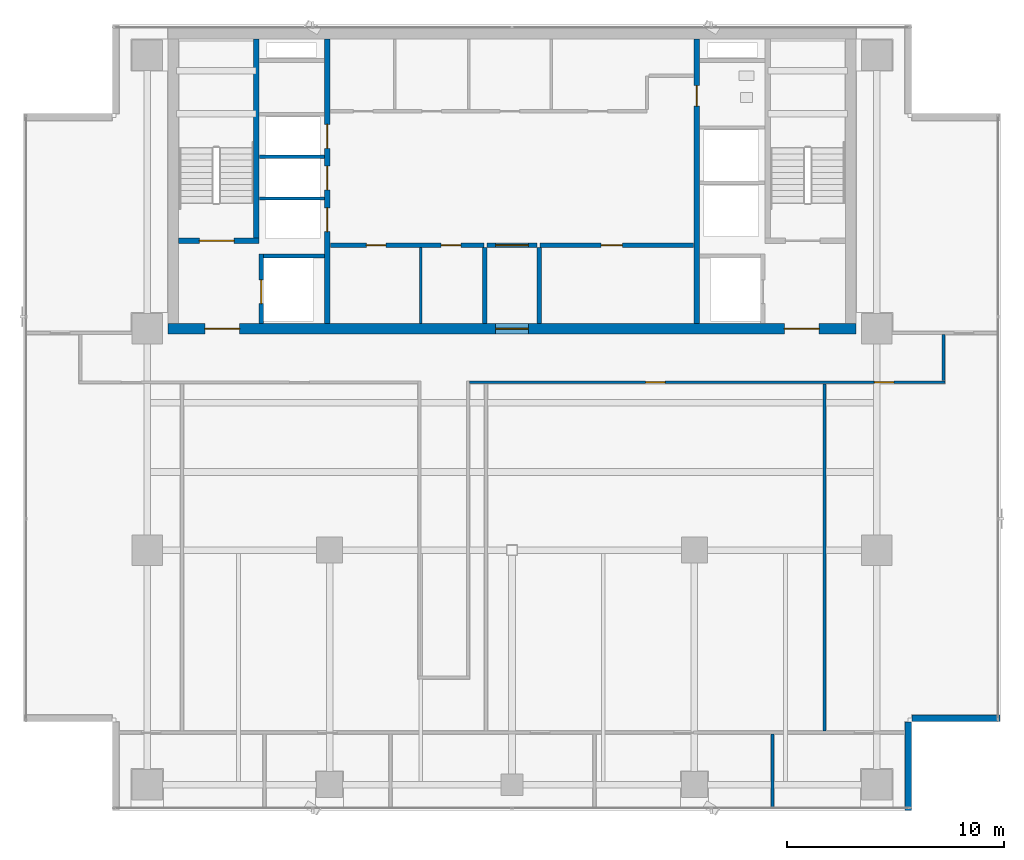
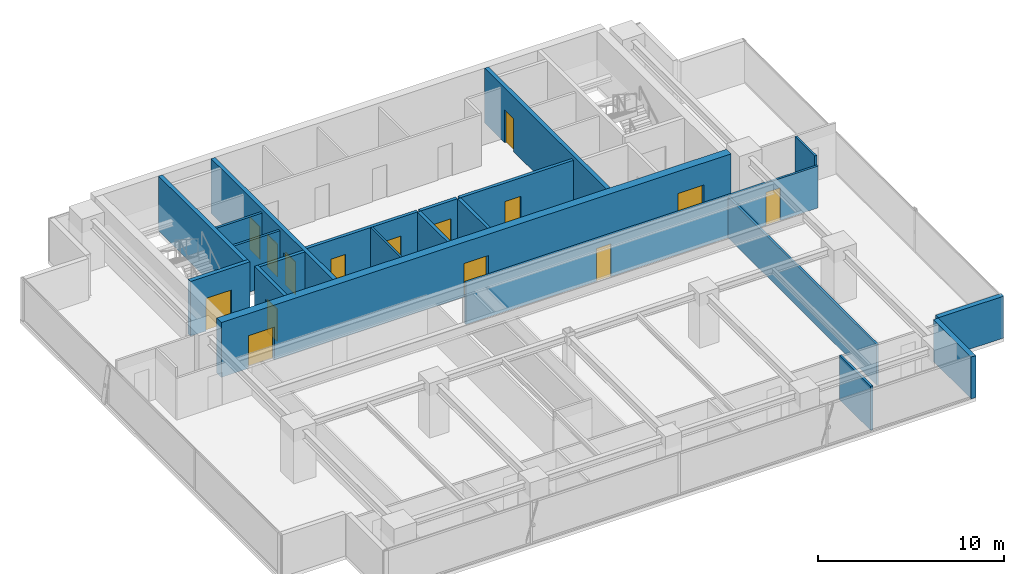
# One storey, part 20 of 26: 21 walls, 15 doors, 15 openings.
"""IFC4 building model written with IfcOpenShell, lengths in metres."""

from ifc_helpers import new_model, si_unit, direction, frame, frame_2d, origin, place, context, subcontext, project, spatial, rectangle, extrude, source, transform, mapped, material, layer, layer_set, type_object, element, fill, save


model = new_model("IFC4")

# Units and contexts
model_context = context("Model", 3, precision=1e-05, world=origin(), true_north=direction((0.0, 1.0)))
body_context = subcontext(model_context, "Body", "Model", "MODEL_VIEW")
ifc_project = project(units=[si_unit("LENGTHUNIT", "METRE"), si_unit("AREAUNIT", "SQUARE_METRE"), si_unit("VOLUMEUNIT", "CUBIC_METRE"), si_unit("PLANEANGLEUNIT", "RADIAN"), si_unit("MASSUNIT", "GRAM", prefix="KILO")], contexts=[model_context])

# Site, building, storey
site_placement = place(None, origin())
site = spatial("IfcSite", under=ifc_project, at=site_placement, CompositionType="ELEMENT")
building_placement = place(site_placement, origin())
building = spatial("IfcBuilding", under=site, at=building_placement, Name="Sumidabori Civic Tower", CompositionType="ELEMENT")
storey_placement = place(building_placement, frame((0.0, 0.0, 236.0)))
storey = spatial("IfcBuildingStorey", under=building, at=storey_placement, Name="L61", CompositionType="ELEMENT", Elevation=236.0)

# Wall
ifc_material_1 = material(Name="Concrete C50/60", Category="concrete")
ifc_layer_1 = layer(ifc_material_1, 0.199951171875, Name="Concrete C50/60")
ifc_layer_set_1 = layer_set([ifc_layer_1], Name="Concrete C50/60")
wall_type_1 = type_object("IfcWallType", Name="WL-SHAFT-200", PredefinedType="SHEAR", material=ifc_layer_set_1)
shared_shape_1 = source(origin(), body_context, "Body", "SweptSolid", [
    extrude(rectangle(XDim=2.824951171875, YDim=0.199951171875, at=frame_2d((1.41259765625, 0.0))), origin(), (0.0, 0.0, 1.0), 3.60009765625),
])
wall_1_placement = place(storey_placement, frame((-11.449951171875, 13.550048828125, 0.0), z_axis=(0.0, 0.0, 1.0), x_axis=(1.0, 0.0, 0.0)))
element("IfcWall", 1, at=wall_1_placement, inside=storey, type_object=wall_type_1, Name="Core Shear Wall L61 EL1-N", PredefinedType="SHEAR", context=body_context, shape_type="MappedRepresentation", body=[
    mapped(shared_shape_1, transform((0.0, 0.0, 0.0), x_axis=(1.0, 0.0, 0.0), y_axis=(0.0, 1.0, 0.0), z_axis=(0.0, 0.0, 1.0), scale=1.0)),
])

# Wall, openings, doors
ifc_layer_2 = layer(ifc_material_1, 0.5, Name="Concrete C50/60")
ifc_layer_set_2 = layer_set([ifc_layer_2], Name="Concrete C50/60")
wall_type_2 = type_object("IfcWallType", Name="WL-CORE-500", PredefinedType="SHEAR", material=ifc_layer_set_2)
shared_shape_2 = source(origin(), body_context, "Body", "SweptSolid", [
    extrude(rectangle(XDim=31.7001953125, YDim=0.5, at=frame_2d((15.85009765625, 0.0))), origin(), (0.0, 0.0, 1.0), 3.60009765625),
])
wall_2_placement = place(storey_placement, frame((-15.85009765625, 10.199951171875, 0.0), z_axis=(0.0, 0.0, 1.0), x_axis=(1.0, 0.0, 0.0)))
wall_2 = element("IfcWall", 2, at=wall_2_placement, inside=storey, type_object=wall_type_2, Name="Core Shear Wall L61 S", PredefinedType="SHEAR", context=body_context, shape_type="MappedRepresentation", body=[
    mapped(shared_shape_2, transform((0.0, 0.0, 0.0), x_axis=(1.0, 0.0, 0.0), y_axis=(0.0, 1.0, 0.0), z_axis=(0.0, 0.0, 1.0), scale=1.0)),
])
opening_1_placement = place(wall_2_placement, frame((1.699951171875, 0.0, 0.0)))
opening_1 = element("IfcOpeningElement", 3, at=opening_1_placement, cuts=wall_2, Name="Opening DR-FD4", PredefinedType="OPENING", context=body_context, shape_type="SweptSolid", body=[
    extrude(rectangle(XDim=1.60009765625, YDim=2.14990234375, at=frame_2d((0.800048828125, 1.074951171875))), frame((0.0, 0.261962890625, 0.0), z_axis=(0.0, -1.0, 0.0), x_axis=(1.0, 0.0, 0.0)), (0.0, 0.0, 1.0), 0.52392578125),
])
opening_2_placement = place(wall_2_placement, frame((28.39990234375, 0.0, 0.0)))
opening_2 = element("IfcOpeningElement", 4, at=opening_2_placement, cuts=wall_2, Name="Opening DR-FD4", PredefinedType="OPENING", context=body_context, shape_type="SweptSolid", body=[
    extrude(rectangle(XDim=1.60009765625, YDim=2.14990234375, at=frame_2d((0.800048828125, 1.074951171875))), frame((0.0, 0.261962890625, 0.0), z_axis=(0.0, -1.0, 0.0), x_axis=(1.0, 0.0, 0.0)), (0.0, 0.0, 1.0), 0.52392578125),
])
opening_3_placement = place(wall_2_placement, frame((15.10009765625, 0.0, 0.0)))
opening_3 = element("IfcOpeningElement", 5, at=opening_3_placement, cuts=wall_2, Name="Opening DR-FD3", PredefinedType="OPENING", context=body_context, shape_type="SweptSolid", body=[
    extrude(rectangle(XDim=1.5, YDim=2.199951171875, at=frame_2d((0.75, 1.10009765625))), frame((0.0, 0.261962890625, 0.0), z_axis=(0.0, -1.0, 0.0), x_axis=(1.0, 0.0, 0.0)), (0.0, 0.0, 1.0), 0.52392578125),
])
ifc_material_2 = material(Name="Steel SN490", Category="steel")
door_type_1 = type_object("IfcDoorType", Name="DR-FD4", OperationType="DOUBLE_DOOR_SINGLE_SWING", PredefinedType="DOOR", material=ifc_material_2)
shared_shape_3 = source(origin(), body_context, "Body", "SweptSolid", [
    extrude(rectangle(XDim=1.60009765625, YDim=2.14990234375, at=frame_2d((0.800048828125, 1.074951171875))), frame((0.0, 0.02490234375, 0.0), z_axis=(0.0, -1.0, 0.0), x_axis=(1.0, 0.0, 0.0)), (0.0, 0.0, 1.0), 0.050048828125),
])
door_1_placement = place(opening_1_placement, origin())
door_1 = element("IfcDoor", 6, at=door_1_placement, inside=storey, type_object=door_type_1, Name="Door DR:L61:ELOB-W", OperationType="DOUBLE_DOOR_SINGLE_SWING", OverallHeight=2.14990234375, OverallWidth=1.60009765625, PredefinedType="DOOR", context=body_context, shape_type="MappedRepresentation", body=[
    mapped(shared_shape_3, transform((0.0, 0.0, 0.0), x_axis=(1.0, 0.0, 0.0), y_axis=(0.0, 1.0, 0.0), z_axis=(0.0, 0.0, 1.0), scale=1.0)),
])
fill(opening_1, door_1)
door_2_placement = place(opening_2_placement, origin())
door_2 = element("IfcDoor", 7, at=door_2_placement, inside=storey, type_object=door_type_1, Name="Door DR:L61:ELOB-E", OperationType="DOUBLE_DOOR_SINGLE_SWING", OverallHeight=2.14990234375, OverallWidth=1.60009765625, PredefinedType="DOOR", context=body_context, shape_type="MappedRepresentation", body=[
    mapped(shared_shape_3, transform((0.0, 0.0, 0.0), x_axis=(1.0, 0.0, 0.0), y_axis=(0.0, 1.0, 0.0), z_axis=(0.0, 0.0, 1.0), scale=1.0)),
])
fill(opening_2, door_2)
door_type_2 = type_object("IfcDoorType", Name="DR-FD-DBL", OperationType="DOUBLE_DOOR_SINGLE_SWING", PredefinedType="DOOR", material=ifc_material_2)
shared_shape_4 = source(origin(), body_context, "Body", "SweptSolid", [
    extrude(rectangle(XDim=1.5, YDim=2.199951171875, at=frame_2d((0.75, 1.10009765625))), frame((0.0, 0.02490234375, 0.0), z_axis=(0.0, -1.0, 0.0), x_axis=(1.0, 0.0, 0.0)), (0.0, 0.0, 1.0), 0.050048828125),
])
door_3_placement = place(opening_3_placement, origin())
door_3 = element("IfcDoor", 8, at=door_3_placement, inside=storey, type_object=door_type_2, Name="Door DR:L61:THROAT-OUT", OperationType="DOUBLE_DOOR_SINGLE_SWING", OverallHeight=2.199951171875, OverallWidth=1.5, PredefinedType="DOOR", context=body_context, shape_type="MappedRepresentation", body=[
    mapped(shared_shape_4, transform((0.0, 0.0, 0.0), x_axis=(1.0, 0.0, 0.0), y_axis=(0.0, 1.0, 0.0), z_axis=(0.0, 0.0, 1.0), scale=1.0)),
])
fill(opening_3, door_3)

ifc_layer_3 = layer(ifc_material_1, 0.25, Name="Concrete C50/60")
ifc_layer_set_3 = layer_set([ifc_layer_3], Name="Concrete C50/60")
wall_type_3 = type_object("IfcWallType", Name="WL-SHAFT-250", PredefinedType="SHEAR", material=ifc_layer_set_3)
shared_shape_5 = source(origin(), body_context, "Body", "SweptSolid", [
    extrude(rectangle(XDim=13.10009765625, YDim=0.25, at=frame_2d((6.550048828125, 0.0))), origin(), (0.0, 0.0, 1.0), 3.60009765625),
])
wall_3_placement = place(storey_placement, frame((-8.5, 10.449951171875, 0.0), z_axis=(0.0, 0.0, 1.0), x_axis=(0.0, 1.0, 0.0)))
wall_3 = element("IfcWall", 9, at=wall_3_placement, inside=storey, type_object=wall_type_3, Name="Core Shear Wall L61 WEB-W", PredefinedType="SHEAR", context=body_context, shape_type="MappedRepresentation", body=[
    mapped(shared_shape_5, transform((0.0, 0.0, 0.0), x_axis=(1.0, 0.0, 0.0), y_axis=(0.0, 1.0, 0.0), z_axis=(0.0, 0.0, 1.0), scale=1.0)),
])
opening_4_placement = place(wall_3_placement, frame((4.219970703125, 0.0, 0.0)))
opening_4 = element("IfcOpeningElement", 10, at=opening_4_placement, cuts=wall_3, Name="Opening LD-1", PredefinedType="OPENING", context=body_context, shape_type="SweptSolid", body=[
    extrude(rectangle(XDim=1.10009765625, YDim=2.14990234375, at=frame_2d((0.550048828125, 1.074951171875))), frame((0.0, 0.136962890625, 0.0), z_axis=(0.0, -1.0, 0.0), x_axis=(1.0, 0.0, 0.0)), (0.0, 0.0, 1.0), 0.27392578125),
])
opening_5_placement = place(wall_3_placement, frame((6.139892578125, 0.0, 0.0)))
opening_5 = element("IfcOpeningElement", 11, at=opening_5_placement, cuts=wall_3, Name="Opening LD-1", PredefinedType="OPENING", context=body_context, shape_type="SweptSolid", body=[
    extrude(rectangle(XDim=1.10009765625, YDim=2.14990234375, at=frame_2d((0.550048828125, 1.074951171875))), frame((0.0, 0.136962890625, 0.0), z_axis=(0.0, -1.0, 0.0), x_axis=(1.0, 0.0, 0.0)), (0.0, 0.0, 1.0), 0.27392578125),
])
opening_6_placement = place(wall_3_placement, frame((8.06005859375, 0.0, 0.0)))
opening_6 = element("IfcOpeningElement", 12, at=opening_6_placement, cuts=wall_3, Name="Opening LD-1", PredefinedType="OPENING", context=body_context, shape_type="SweptSolid", body=[
    extrude(rectangle(XDim=1.10009765625, YDim=2.14990234375, at=frame_2d((0.550048828125, 1.074951171875))), frame((0.0, 0.136962890625, 0.0), z_axis=(0.0, -1.0, 0.0), x_axis=(1.0, 0.0, 0.0)), (0.0, 0.0, 1.0), 0.27392578125),
])
ifc_material_3 = material(Name="Stainless Steel Hairline Finish", Category="steel")
door_type_3 = type_object("IfcDoorType", Name="DR-LD1", OperationType="DOUBLE_DOOR_SLIDING", PredefinedType="DOOR", material=ifc_material_3)
shared_shape_6 = source(origin(), body_context, "Body", "SweptSolid", [
    extrude(rectangle(XDim=1.10009765625, YDim=2.14990234375, at=frame_2d((0.550048828125, 1.074951171875))), frame((0.0, 0.02490234375, 0.0), z_axis=(0.0, -1.0, 0.0), x_axis=(1.0, 0.0, 0.0)), (0.0, 0.0, 1.0), 0.050048828125),
])
door_4_placement = place(opening_4_placement, origin())
door_4 = element("IfcDoor", 13, at=door_4_placement, inside=storey, type_object=door_type_3, Name="Door DR:L61:LD-PLH1", OperationType="DOUBLE_DOOR_SLIDING", OverallHeight=2.14990234375, OverallWidth=1.10009765625, PredefinedType="DOOR", context=body_context, shape_type="MappedRepresentation", body=[
    mapped(shared_shape_6, transform((0.0, 0.0, 0.0), x_axis=(1.0, 0.0, 0.0), y_axis=(0.0, 1.0, 0.0), z_axis=(0.0, 0.0, 1.0), scale=1.0)),
])
fill(opening_4, door_4)
door_5_placement = place(opening_5_placement, origin())
door_5 = element("IfcDoor", 14, at=door_5_placement, inside=storey, type_object=door_type_3, Name="Door DR:L61:LD-PLH2", OperationType="DOUBLE_DOOR_SLIDING", OverallHeight=2.14990234375, OverallWidth=1.10009765625, PredefinedType="DOOR", context=body_context, shape_type="MappedRepresentation", body=[
    mapped(shared_shape_6, transform((0.0, 0.0, 0.0), x_axis=(1.0, 0.0, 0.0), y_axis=(0.0, 1.0, 0.0), z_axis=(0.0, 0.0, 1.0), scale=1.0)),
])
fill(opening_5, door_5)
door_6_placement = place(opening_6_placement, origin())
door_6 = element("IfcDoor", 15, at=door_6_placement, inside=storey, type_object=door_type_3, Name="Door DR:L61:LD-PLH3", OperationType="DOUBLE_DOOR_SLIDING", OverallHeight=2.14990234375, OverallWidth=1.10009765625, PredefinedType="DOOR", context=body_context, shape_type="MappedRepresentation", body=[
    mapped(shared_shape_6, transform((0.0, 0.0, 0.0), x_axis=(1.0, 0.0, 0.0), y_axis=(0.0, 1.0, 0.0), z_axis=(0.0, 0.0, 1.0), scale=1.0)),
])
fill(opening_6, door_6)

# Wall, opening, door
wall_4_placement = place(storey_placement, frame((8.5, 10.449951171875, 0.0), z_axis=(0.0, 0.0, 1.0), x_axis=(0.0, 1.0, 0.0)))
wall_4 = element("IfcWall", 16, at=wall_4_placement, inside=storey, type_object=wall_type_3, Name="Core Shear Wall L61 WEB-E", PredefinedType="SHEAR", context=body_context, shape_type="MappedRepresentation", body=[
    mapped(shared_shape_5, transform((0.0, 0.0, 0.0), x_axis=(1.0, 0.0, 0.0), y_axis=(0.0, 1.0, 0.0), z_axis=(0.0, 0.0, 1.0), scale=1.0)),
])
opening_7_placement = place(wall_4_placement, frame((10.0, 0.0, 0.0)))
opening_7 = element("IfcOpeningElement", 17, at=opening_7_placement, cuts=wall_4, Name="Opening DR-2", PredefinedType="OPENING", context=body_context, shape_type="SweptSolid", body=[
    extrude(rectangle(XDim=0.949951171875, YDim=2.14990234375, at=frame_2d((0.47509765625, 1.074951171875))), frame((0.0, 0.136962890625, 0.0), z_axis=(0.0, -1.0, 0.0), x_axis=(1.0, 0.0, 0.0)), (0.0, 0.0, 1.0), 0.27392578125),
])
ifc_material_4 = material(Name="Japanese Hinoki Timber", Category="wood")
door_type_4 = type_object("IfcDoorType", Name="DR-INT-950", OperationType="NOTDEFINED", PredefinedType="DOOR", material=ifc_material_4)
shared_shape_7 = source(origin(), body_context, "Body", "SweptSolid", [
    extrude(rectangle(XDim=0.949951171875, YDim=2.14990234375, at=frame_2d((0.47509765625, 1.074951171875))), frame((0.0, 0.02490234375, 0.0), z_axis=(0.0, -1.0, 0.0), x_axis=(1.0, 0.0, 0.0)), (0.0, 0.0, 1.0), 0.050048828125),
])
door_7_placement = place(opening_7_placement, origin())
door_7 = element("IfcDoor", 18, at=door_7_placement, inside=storey, type_object=door_type_4, Name="Door DR:L61:WC-ACC", OperationType="SINGLE_SWING_RIGHT", OverallHeight=2.14990234375, OverallWidth=0.949951171875, PredefinedType="DOOR", context=body_context, shape_type="MappedRepresentation", body=[
    mapped(shared_shape_7, transform((0.0, 0.0, 0.0), x_axis=(1.0, 0.0, 0.0), y_axis=(0.0, 1.0, 0.0), z_axis=(0.0, 0.0, 1.0), scale=1.0)),
])
fill(opening_7, door_7)

shared_shape_8 = source(origin(), body_context, "Body", "SweptSolid", [
    extrude(rectangle(XDim=3.705078125, YDim=0.25, at=frame_2d((1.8525390625, 0.0))), origin(), (0.0, 0.0, 1.0), 3.60009765625),
])
wall_5_placement = place(storey_placement, frame((-15.35009765625, 14.25, 0.0), z_axis=(0.0, 0.0, 1.0), x_axis=(1.0, 0.0, 0.0)))
wall_5 = element("IfcWall", 19, at=wall_5_placement, inside=storey, type_object=wall_type_3, Name="Core Shear Wall L61 ST1-S", PredefinedType="SHEAR", context=body_context, shape_type="MappedRepresentation", body=[
    mapped(shared_shape_8, transform((0.0, 0.0, 0.0), x_axis=(1.0, 0.0, 0.0), y_axis=(0.0, 1.0, 0.0), z_axis=(0.0, 0.0, 1.0), scale=1.0)),
])
opening_8_placement = place(wall_5_placement, frame((0.949951171875, 0.0, 0.0)))
opening_8 = element("IfcOpeningElement", 20, at=opening_8_placement, cuts=wall_5, Name="Opening DR-FD4", PredefinedType="OPENING", context=body_context, shape_type="SweptSolid", body=[
    extrude(rectangle(XDim=1.60009765625, YDim=2.14990234375, at=frame_2d((0.800048828125, 1.074951171875))), frame((0.0, 0.136962890625, 0.0), z_axis=(0.0, -1.0, 0.0), x_axis=(1.0, 0.0, 0.0)), (0.0, 0.0, 1.0), 0.27392578125),
])
door_8_placement = place(opening_8_placement, origin())
door_8 = element("IfcDoor", 21, at=door_8_placement, inside=storey, type_object=door_type_1, Name="Door DR:L61:ST1", OperationType="DOUBLE_DOOR_SINGLE_SWING", OverallHeight=2.14990234375, OverallWidth=1.60009765625, PredefinedType="DOOR", context=body_context, shape_type="MappedRepresentation", body=[
    mapped(shared_shape_3, transform((0.0, 0.0, 0.0), x_axis=(1.0, 0.0, 0.0), y_axis=(0.0, 1.0, 0.0), z_axis=(0.0, 0.0, 1.0), scale=1.0)),
])
fill(opening_8, door_8)

# Wall
shared_shape_9 = source(origin(), body_context, "Body", "SweptSolid", [
    extrude(rectangle(XDim=9.175048828125, YDim=0.25, at=frame_2d((4.58740234375, 0.0))), origin(), (0.0, 0.0, 1.0), 3.60009765625),
])
wall_6_placement = place(storey_placement, frame((-11.77001953125, 14.375, 0.0), z_axis=(0.0, 0.0, 1.0), x_axis=(0.0, 1.0, 0.0)))
element("IfcWall", 22, at=wall_6_placement, inside=storey, type_object=wall_type_3, Name="Core Shear Wall L61 ST1-E", PredefinedType="SHEAR", context=body_context, shape_type="MappedRepresentation", body=[
    mapped(shared_shape_9, transform((0.0, 0.0, 0.0), x_axis=(1.0, 0.0, 0.0), y_axis=(0.0, 1.0, 0.0), z_axis=(0.0, 0.0, 1.0), scale=1.0)),
])

# Wall, opening, door
shared_shape_10 = source(origin(), body_context, "Body", "SweptSolid", [
    extrude(rectangle(XDim=3.199951171875, YDim=0.199951171875, at=frame_2d((1.60009765625, 0.0))), origin(), (0.0, 0.0, 1.0), 3.60009765625),
])
wall_7_placement = place(storey_placement, frame((-11.550048828125, 10.449951171875, 0.0), z_axis=(0.0, 0.0, 1.0), x_axis=(0.0, 1.0, 0.0)))
wall_7 = element("IfcWall", 23, at=wall_7_placement, inside=storey, type_object=wall_type_1, Name="Core Shear Wall L61 EL1-W", PredefinedType="SHEAR", context=body_context, shape_type="MappedRepresentation", body=[
    mapped(shared_shape_10, transform((0.0, 0.0, 0.0), x_axis=(1.0, 0.0, 0.0), y_axis=(0.0, 1.0, 0.0), z_axis=(0.0, 0.0, 1.0), scale=1.0)),
])
opening_9_placement = place(wall_7_placement, frame((0.89990234375, 0.0, 0.0)))
opening_9 = element("IfcOpeningElement", 24, at=opening_9_placement, cuts=wall_7, Name="Opening LD-2", PredefinedType="OPENING", context=body_context, shape_type="SweptSolid", body=[
    extrude(rectangle(XDim=1.10009765625, YDim=2.14990234375, at=frame_2d((0.550048828125, 1.074951171875))), frame((0.0, 0.11181640625, 0.0), z_axis=(0.0, -1.0, 0.0), x_axis=(1.0, 0.0, 0.0)), (0.0, 0.0, 1.0), 0.223876953125),
])
door_type_5 = type_object("IfcDoorType", Name="DR-LD2", OperationType="DOUBLE_DOOR_SLIDING", PredefinedType="DOOR", material=ifc_material_3)
door_9_placement = place(opening_9_placement, origin())
door_9 = element("IfcDoor", 25, at=door_9_placement, inside=storey, type_object=door_type_5, Name="Door DR:L61:LD-EL1", OperationType="DOUBLE_DOOR_SLIDING", OverallHeight=2.14990234375, OverallWidth=1.10009765625, PredefinedType="DOOR", context=body_context, shape_type="MappedRepresentation", body=[
    mapped(shared_shape_6, transform((0.0, 0.0, 0.0), x_axis=(1.0, 0.0, 0.0), y_axis=(0.0, 1.0, 0.0), z_axis=(0.0, 0.0, 1.0), scale=1.0)),
])
fill(opening_9, door_9)

# Walls
ifc_material_5 = material(Name="Precast concrete C40/50", Category="concrete")
ifc_layer_4 = layer(ifc_material_5, 0.300048828125, Name="Precast concrete C40/50")
ifc_layer_set_4 = layer_set([ifc_layer_4], Name="Precast concrete C40/50")
wall_type_4 = type_object("IfcWallType", Name="WL-EXT-POD300", PredefinedType="STANDARD", material=ifc_layer_set_4)
shared_shape_11 = source(origin(), body_context, "Body", "SweptSolid", [
    extrude(rectangle(XDim=4.06005859375, YDim=0.300048828125, at=frame_2d((2.030029296875, 0.0))), origin(), (0.0, 0.0, 1.0), 2.75),
])
for number, where, z_axis, x_axis, name in (
    (26, (18.25, -11.97998046875, 0.0), (0.0, 0.0, 1.0), (0.0, 1.0, 0.0), "Notched Corner Spandrel Band L61-02"),
    (27, (18.419921875, -7.75, 0.0), (0.0, 0.0, 1.0), (1.0, 0.0, 0.0), "Notched Corner Spandrel Band L61-03"),
):
    element("IfcWall", number, at=place(storey_placement, frame(where, z_axis=z_axis, x_axis=x_axis)), inside=storey, type_object=wall_type_4, Name=name, PredefinedType="STANDARD", context=body_context, shape_type="MappedRepresentation", body=[
        mapped(shared_shape_11, transform((0.0, 0.0, 0.0), x_axis=(1.0, 0.0, 0.0), y_axis=(0.0, 1.0, 0.0), z_axis=(0.0, 0.0, 1.0), scale=1.0)),
    ])
ifc_material_6 = material(Name="Gypsum Plasterboard Acoustic Partition")
ifc_layer_5 = layer(ifc_material_6, 0.14990234375, Name="Gypsum Plasterboard Acoustic Partition")
ifc_layer_set_5 = layer_set([ifc_layer_5], Name="Gypsum Plasterboard Acoustic Partition")
wall_type_5 = type_object("IfcWallType", Name="WL-PART-150", PredefinedType="PARTITIONING", material=ifc_layer_set_5)
shared_shape_12 = source(origin(), body_context, "Body", "SweptSolid", [
    extrude(rectangle(XDim=3.010009765625, YDim=0.14990234375, at=frame_2d((1.5048828125, 0.0))), origin(), (0.0, 0.0, 1.0), 3.3701171875),
])
for number, where, z_axis, x_axis, name in (
    (28, (-11.639892578125, 16.199951171875, 0.0), (0.0, 0.0, 1.0), (1.0, 0.0, 0.0), "Interior Partition WL:L61:DIV-PLH1"),
    (29, (-11.639892578125, 18.1201171875, 0.0), (0.0, 0.0, 1.0), (1.0, 0.0, 0.0), "Interior Partition WL:L61:DIV-PLH2"),
):
    element("IfcWall", number, at=place(storey_placement, frame(where, z_axis=z_axis, x_axis=x_axis)), inside=storey, type_object=wall_type_5, Name=name, PredefinedType="PARTITIONING", context=body_context, shape_type="MappedRepresentation", body=[
        mapped(shared_shape_12, transform((0.0, 0.0, 0.0), x_axis=(1.0, 0.0, 0.0), y_axis=(0.0, 1.0, 0.0), z_axis=(0.0, 0.0, 1.0), scale=1.0)),
    ])

# Wall, openings, doors
ifc_material_7 = material(Name="Gypsum Plasterboard Fire Partition")
ifc_layer_6 = layer(ifc_material_7, 0.199951171875, Name="Gypsum Plasterboard Fire Partition")
ifc_layer_set_6 = layer_set([ifc_layer_6], Name="Gypsum Plasterboard Fire Partition")
wall_type_6 = type_object("IfcWallType", Name="WL-PART-FIRE", PredefinedType="PARTITIONING", material=ifc_layer_set_6)
shared_shape_13 = source(origin(), body_context, "Body", "SweptSolid", [
    extrude(rectangle(XDim=7.070068359375, YDim=0.199951171875, at=frame_2d((3.53515625, 0.0))), origin(), (0.0, 0.0, 1.0), 3.3701171875),
])
wall_8_placement = place(storey_placement, frame((-8.3701171875, 14.050048828125, 0.0), z_axis=(0.0, 0.0, 1.0), x_axis=(1.0, 0.0, 0.0)))
wall_8 = element("IfcWall", 30, at=wall_8_placement, inside=storey, type_object=wall_type_6, Name="Interior Partition WL:L61:CBAND-SW", PredefinedType="PARTITIONING", context=body_context, shape_type="MappedRepresentation", body=[
    mapped(shared_shape_13, transform((0.0, 0.0, 0.0), x_axis=(1.0, 0.0, 0.0), y_axis=(0.0, 1.0, 0.0), z_axis=(0.0, 0.0, 1.0), scale=1.0)),
])
opening_10_placement = place(wall_8_placement, frame((1.659912109375, 0.0, 0.0)))
opening_10 = element("IfcOpeningElement", 31, at=opening_10_placement, cuts=wall_8, Name="Opening DR-1", PredefinedType="OPENING", context=body_context, shape_type="SweptSolid", body=[
    extrude(rectangle(XDim=0.89990234375, YDim=2.14990234375, at=frame_2d((0.449951171875, 1.074951171875))), frame((0.0, 0.11181640625, 0.0), z_axis=(0.0, -1.0, 0.0), x_axis=(1.0, 0.0, 0.0)), (0.0, 0.0, 1.0), 0.223876953125),
])
opening_11_placement = place(wall_8_placement, frame((5.110107421875, 0.0, 0.0)))
opening_11 = element("IfcOpeningElement", 32, at=opening_11_placement, cuts=wall_8, Name="Opening DR-1", PredefinedType="OPENING", context=body_context, shape_type="SweptSolid", body=[
    extrude(rectangle(XDim=0.89990234375, YDim=2.14990234375, at=frame_2d((0.449951171875, 1.074951171875))), frame((0.0, 0.11181640625, 0.0), z_axis=(0.0, -1.0, 0.0), x_axis=(1.0, 0.0, 0.0)), (0.0, 0.0, 1.0), 0.223876953125),
])
door_type_6 = type_object("IfcDoorType", Name="DR-INT-900", OperationType="NOTDEFINED", PredefinedType="DOOR", material=ifc_material_4)
shared_shape_14 = source(origin(), body_context, "Body", "SweptSolid", [
    extrude(rectangle(XDim=0.89990234375, YDim=2.14990234375, at=frame_2d((0.449951171875, 1.074951171875))), frame((0.0, 0.02490234375, 0.0), z_axis=(0.0, -1.0, 0.0), x_axis=(1.0, 0.0, 0.0)), (0.0, 0.0, 1.0), 0.050048828125),
])
door_10_placement = place(opening_10_placement, origin())
door_10 = element("IfcDoor", 33, at=door_10_placement, inside=storey, type_object=door_type_6, Name="Door DR:L61:REC-B1A", OperationType="SINGLE_SWING_LEFT", OverallHeight=2.14990234375, OverallWidth=0.89990234375, PredefinedType="DOOR", context=body_context, shape_type="MappedRepresentation", body=[
    mapped(shared_shape_14, transform((0.0, 0.0, 0.0), x_axis=(1.0, 0.0, 0.0), y_axis=(0.0, 1.0, 0.0), z_axis=(0.0, 0.0, 1.0), scale=1.0)),
])
fill(opening_10, door_10)
door_11_placement = place(opening_11_placement, origin())
door_11 = element("IfcDoor", 34, at=door_11_placement, inside=storey, type_object=door_type_6, Name="Door DR:L61:REC-B1B", OperationType="SINGLE_SWING_RIGHT", OverallHeight=2.14990234375, OverallWidth=0.89990234375, PredefinedType="DOOR", context=body_context, shape_type="MappedRepresentation", body=[
    mapped(shared_shape_14, transform((0.0, 0.0, 0.0), x_axis=(1.0, 0.0, 0.0), y_axis=(0.0, 1.0, 0.0), z_axis=(0.0, 0.0, 1.0), scale=1.0)),
])
fill(opening_11, door_11)

# Wall, opening, door
wall_9_placement = place(storey_placement, frame((1.300048828125, 14.050048828125, 0.0), z_axis=(0.0, 0.0, 1.0), x_axis=(1.0, 0.0, 0.0)))
wall_9 = element("IfcWall", 35, at=wall_9_placement, inside=storey, type_object=wall_type_6, Name="Interior Partition WL:L61:CBAND-SE", PredefinedType="PARTITIONING", context=body_context, shape_type="MappedRepresentation", body=[
    mapped(shared_shape_13, transform((0.0, 0.0, 0.0), x_axis=(1.0, 0.0, 0.0), y_axis=(0.0, 1.0, 0.0), z_axis=(0.0, 0.0, 1.0), scale=1.0)),
])
opening_12_placement = place(wall_9_placement, frame((2.800048828125, 0.0, 0.0)))
opening_12 = element("IfcOpeningElement", 36, at=opening_12_placement, cuts=wall_9, Name="Opening DR-3", PredefinedType="OPENING", context=body_context, shape_type="SweptSolid", body=[
    extrude(rectangle(XDim=0.97998046875, YDim=2.14990234375, at=frame_2d((0.489990234375, 1.074951171875))), frame((0.0, 0.11181640625, 0.0), z_axis=(0.0, -1.0, 0.0), x_axis=(1.0, 0.0, 0.0)), (0.0, 0.0, 1.0), 0.223876953125),
])
door_type_7 = type_object("IfcDoorType", Name="DR-INT-980", OperationType="NOTDEFINED", PredefinedType="DOOR", material=ifc_material_4)
shared_shape_15 = source(origin(), body_context, "Body", "SweptSolid", [
    extrude(rectangle(XDim=0.97998046875, YDim=2.14990234375, at=frame_2d((0.489990234375, 1.074951171875))), frame((0.0, 0.02490234375, 0.0), z_axis=(0.0, -1.0, 0.0), x_axis=(1.0, 0.0, 0.0)), (0.0, 0.0, 1.0), 0.050048828125),
])
door_12_placement = place(opening_12_placement, origin())
door_12 = element("IfcDoor", 37, at=door_12_placement, inside=storey, type_object=door_type_7, Name="Door DR:L61:REC-B2", OperationType="SINGLE_SWING_RIGHT", OverallHeight=2.14990234375, OverallWidth=0.97998046875, PredefinedType="DOOR", context=body_context, shape_type="MappedRepresentation", body=[
    mapped(shared_shape_15, transform((0.0, 0.0, 0.0), x_axis=(1.0, 0.0, 0.0), y_axis=(0.0, 1.0, 0.0), z_axis=(0.0, 0.0, 1.0), scale=1.0)),
])
fill(opening_12, door_12)

# Walls
shared_shape_16 = source(origin(), body_context, "Body", "SweptSolid", [
    extrude(rectangle(XDim=3.489990234375, YDim=0.199951171875, at=frame_2d((1.7451171875, 0.0))), origin(), (0.0, 0.0, 1.0), 3.3701171875),
])
for number, where, z_axis, x_axis, name in (
    (38, (-1.25, 10.449951171875, 0.0), (0.0, 0.0, 1.0), (0.0, 1.0, 0.0), "Interior Partition WL:L61:THROAT-W"),
    (39, (1.25, 10.449951171875, 0.0), (0.0, 0.0, 1.0), (0.0, 1.0, 0.0), "Interior Partition WL:L61:THROAT-E"),
):
    element("IfcWall", number, at=place(storey_placement, frame(where, z_axis=z_axis, x_axis=x_axis)), inside=storey, type_object=wall_type_6, Name=name, PredefinedType="PARTITIONING", context=body_context, shape_type="MappedRepresentation", body=[
        mapped(shared_shape_16, transform((0.0, 0.0, 0.0), x_axis=(1.0, 0.0, 0.0), y_axis=(0.0, 1.0, 0.0), z_axis=(0.0, 0.0, 1.0), scale=1.0)),
    ])

# Wall, opening, door
shared_shape_17 = source(origin(), body_context, "Body", "SweptSolid", [
    extrude(rectangle(XDim=2.2998046875, YDim=0.199951171875, at=frame_2d((1.14990234375, 0.0))), origin(), (0.0, 0.0, 1.0), 3.3701171875),
])
wall_10_placement = place(storey_placement, frame((-1.14990234375, 14.050048828125, 0.0), z_axis=(0.0, 0.0, 1.0), x_axis=(1.0, 0.0, 0.0)))
wall_10 = element("IfcWall", 40, at=wall_10_placement, inside=storey, type_object=wall_type_6, Name="Interior Partition WL:L61:THROAT-N", PredefinedType="PARTITIONING", context=body_context, shape_type="MappedRepresentation", body=[
    mapped(shared_shape_17, transform((0.0, 0.0, 0.0), x_axis=(1.0, 0.0, 0.0), y_axis=(0.0, 1.0, 0.0), z_axis=(0.0, 0.0, 1.0), scale=1.0)),
])
opening_13_placement = place(wall_10_placement, frame((0.39990234375, 0.0, 0.0)))
opening_13 = element("IfcOpeningElement", 41, at=opening_13_placement, cuts=wall_10, Name="Opening DR-FD3", PredefinedType="OPENING", context=body_context, shape_type="SweptSolid", body=[
    extrude(rectangle(XDim=1.5, YDim=2.199951171875, at=frame_2d((0.75, 1.10009765625))), frame((0.0, 0.11181640625, 0.0), z_axis=(0.0, -1.0, 0.0), x_axis=(1.0, 0.0, 0.0)), (0.0, 0.0, 1.0), 0.223876953125),
])
door_13_placement = place(opening_13_placement, origin())
door_13 = element("IfcDoor", 42, at=door_13_placement, inside=storey, type_object=door_type_2, Name="Door DR:L61:THROAT-IN", OperationType="DOUBLE_DOOR_SINGLE_SWING", OverallHeight=2.199951171875, OverallWidth=1.5, PredefinedType="DOOR", context=body_context, shape_type="MappedRepresentation", body=[
    mapped(shared_shape_4, transform((0.0, 0.0, 0.0), x_axis=(1.0, 0.0, 0.0), y_axis=(0.0, 1.0, 0.0), z_axis=(0.0, 0.0, 1.0), scale=1.0)),
])
fill(opening_13, door_13)

# Walls
ifc_layer_7 = layer(ifc_material_6, 0.1201171875, Name="Gypsum Plasterboard Acoustic Partition")
ifc_layer_set_7 = layer_set([ifc_layer_7], Name="Gypsum Plasterboard Acoustic Partition")
wall_type_7 = type_object("IfcWallType", Name="WL-PART-120", PredefinedType="PARTITIONING", material=ifc_layer_set_7)
shared_shape_18 = source(origin(), body_context, "Body", "SweptSolid", [
    extrude(rectangle(XDim=3.489990234375, YDim=0.1201171875, at=frame_2d((1.7451171875, 0.0))), origin(), (0.0, 0.0, 1.0), 3.3701171875),
])
wall_11_placement = place(storey_placement, frame((-4.199951171875, 10.449951171875, 0.0), z_axis=(0.0, 0.0, 1.0), x_axis=(0.0, 1.0, 0.0)))
element("IfcWall", 43, at=wall_11_placement, inside=storey, type_object=wall_type_7, Name="Interior Partition WL:L61:REC-B1-SP", PredefinedType="PARTITIONING", context=body_context, shape_type="MappedRepresentation", body=[
    mapped(shared_shape_18, transform((0.0, 0.0, 0.0), x_axis=(1.0, 0.0, 0.0), y_axis=(0.0, 1.0, 0.0), z_axis=(0.0, 0.0, 1.0), scale=1.0)),
])
ifc_layer_8 = layer(ifc_material_6, 0.135009765625, Name="Gypsum Plasterboard Acoustic Partition")
ifc_layer_set_8 = layer_set([ifc_layer_8], Name="Gypsum Plasterboard Acoustic Partition")
wall_type_8 = type_object("IfcWallType", Name="WL-PART-135", PredefinedType="PARTITIONING", material=ifc_layer_set_8)
shared_shape_19 = source(origin(), body_context, "Body", "SweptSolid", [
    extrude(rectangle(XDim=2.12255859375, YDim=0.135009765625, at=frame_2d((1.061279296875, 0.0))), origin(), (0.0, 0.0, 1.0), 3.3701171875),
])
wall_12_placement = place(storey_placement, frame((19.867431640625, 7.804931640625, 0.0), z_axis=(0.0, 0.0, 1.0), x_axis=(0.0, 1.0, 0.0)))
element("IfcWall", 44, at=wall_12_placement, inside=storey, type_object=wall_type_8, Name="Interior Partition WL:L61:CORR-VNE", PredefinedType="PARTITIONING", context=body_context, shape_type="MappedRepresentation", body=[
    mapped(shared_shape_19, transform((0.0, 0.0, 0.0), x_axis=(1.0, 0.0, 0.0), y_axis=(0.0, 1.0, 0.0), z_axis=(0.0, 0.0, 1.0), scale=1.0)),
])
shared_shape_20 = source(origin(), body_context, "Body", "SweptSolid", [
    extrude(rectangle(XDim=15.9873046875, YDim=0.135009765625, at=frame_2d((7.99365234375, 0.0))), origin(), (0.0, 0.0, 1.0), 2.655029296875),
])
wall_13_placement = place(storey_placement, frame((14.39990234375, -8.327392578125, 0.0), z_axis=(0.0, 0.0, 1.0), x_axis=(0.0, 1.0, 0.0)))
element("IfcWall", 45, at=wall_13_placement, inside=storey, type_object=wall_type_8, Name="Interior Partition WL:L61:VX-N3", PredefinedType="PARTITIONING", context=body_context, shape_type="MappedRepresentation", body=[
    mapped(shared_shape_20, transform((0.0, 0.0, 0.0), x_axis=(1.0, 0.0, 0.0), y_axis=(0.0, 1.0, 0.0), z_axis=(0.0, 0.0, 1.0), scale=1.0)),
])
shared_shape_21 = source(origin(), body_context, "Body", "SweptSolid", [
    extrude(rectangle(XDim=3.377685546875, YDim=0.135009765625, at=frame_2d((1.68896484375, 0.0))), origin(), (0.0, 0.0, 1.0), 2.905029296875),
])
wall_14_placement = place(storey_placement, frame((12.0, -11.85009765625, 0.0), z_axis=(0.0, 0.0, 1.0), x_axis=(0.0, 1.0, 0.0)))
element("IfcWall", 46, at=wall_14_placement, inside=storey, type_object=wall_type_8, Name="Interior Partition WL:L61:VX-S4", PredefinedType="PARTITIONING", context=body_context, shape_type="MappedRepresentation", body=[
    mapped(shared_shape_21, transform((0.0, 0.0, 0.0), x_axis=(1.0, 0.0, 0.0), y_axis=(0.0, 1.0, 0.0), z_axis=(0.0, 0.0, 1.0), scale=1.0)),
])

# Wall, openings, doors
shared_shape_22 = source(origin(), body_context, "Body", "SweptSolid", [
    extrude(rectangle(XDim=21.900146484375, YDim=0.135009765625, at=frame_2d((10.9501953125, 0.0))), origin(), (0.0, 0.0, 1.0), 2.7548828125),
])
wall_15_placement = place(storey_placement, frame((-1.965087890625, 7.732421875, 0.0), z_axis=(0.0, 0.0, 1.0), x_axis=(1.0, 0.0, 0.0)))
wall_15 = element("IfcWall", 47, at=wall_15_placement, inside=storey, type_object=wall_type_8, Name="Interior Partition WL:L61:CORR-SE", PredefinedType="PARTITIONING", context=body_context, shape_type="MappedRepresentation", body=[
    mapped(shared_shape_22, transform((0.0, 0.0, 0.0), x_axis=(1.0, 0.0, 0.0), y_axis=(0.0, 1.0, 0.0), z_axis=(0.0, 0.0, 1.0), scale=1.0)),
])
opening_14_placement = place(wall_15_placement, frame((18.65625, 0.0, 0.0)))
opening_14 = element("IfcOpeningElement", 48, at=opening_14_placement, cuts=wall_15, Name="Opening DR-1", PredefinedType="OPENING", context=body_context, shape_type="SweptSolid", body=[
    extrude(rectangle(XDim=0.89990234375, YDim=2.14990234375, at=frame_2d((0.449951171875, 1.074951171875))), frame((0.0, 0.07958984375, 0.0), z_axis=(0.0, -1.0, 0.0), x_axis=(1.0, 0.0, 0.0)), (0.0, 0.0, 1.0), 0.158935546875),
])
opening_15_placement = place(wall_15_placement, frame((8.114990234375, 0.0, 0.0)))
opening_15 = element("IfcOpeningElement", 49, at=opening_15_placement, cuts=wall_15, Name="Opening DR-1", PredefinedType="OPENING", context=body_context, shape_type="SweptSolid", body=[
    extrude(rectangle(XDim=0.89990234375, YDim=2.14990234375, at=frame_2d((0.449951171875, 1.074951171875))), frame((0.0, 0.07958984375, 0.0), z_axis=(0.0, -1.0, 0.0), x_axis=(1.0, 0.0, 0.0)), (0.0, 0.0, 1.0), 0.158935546875),
])
door_14_placement = place(opening_14_placement, origin())
door_14 = element("IfcDoor", 50, at=door_14_placement, inside=storey, type_object=door_type_6, Name="Door DR:L61:D02", OperationType="SINGLE_SWING_RIGHT", OverallHeight=2.14990234375, OverallWidth=0.89990234375, PredefinedType="DOOR", context=body_context, shape_type="MappedRepresentation", body=[
    mapped(shared_shape_14, transform((0.0, 0.0, 0.0), x_axis=(1.0, 0.0, 0.0), y_axis=(0.0, 1.0, 0.0), z_axis=(0.0, 0.0, 1.0), scale=1.0)),
])
fill(opening_14, door_14)
door_15_placement = place(opening_15_placement, origin())
door_15 = element("IfcDoor", 51, at=door_15_placement, inside=storey, type_object=door_type_6, Name="Door DR:L61:D03", OperationType="SINGLE_SWING_LEFT", OverallHeight=2.14990234375, OverallWidth=0.89990234375, PredefinedType="DOOR", context=body_context, shape_type="MappedRepresentation", body=[
    mapped(shared_shape_14, transform((0.0, 0.0, 0.0), x_axis=(1.0, 0.0, 0.0), y_axis=(0.0, 1.0, 0.0), z_axis=(0.0, 0.0, 1.0), scale=1.0)),
])
fill(opening_15, door_15)

save(model, "model.ifc")
